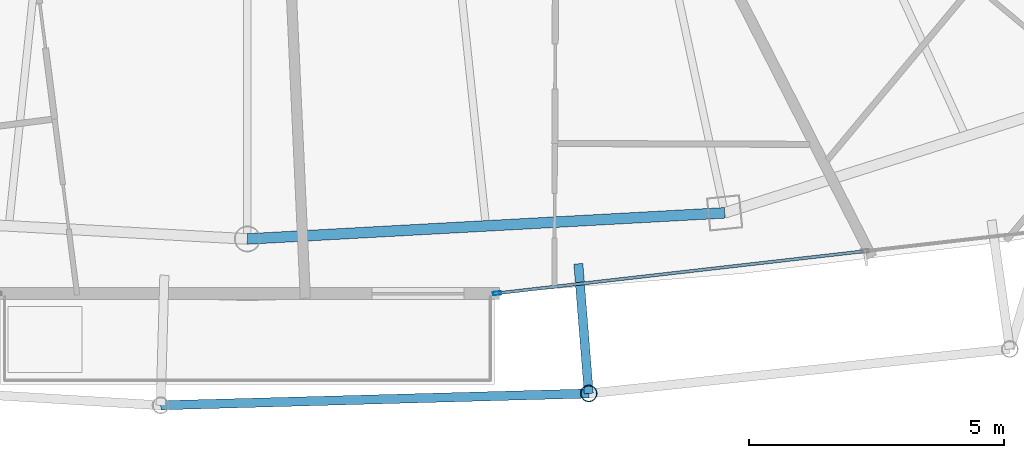
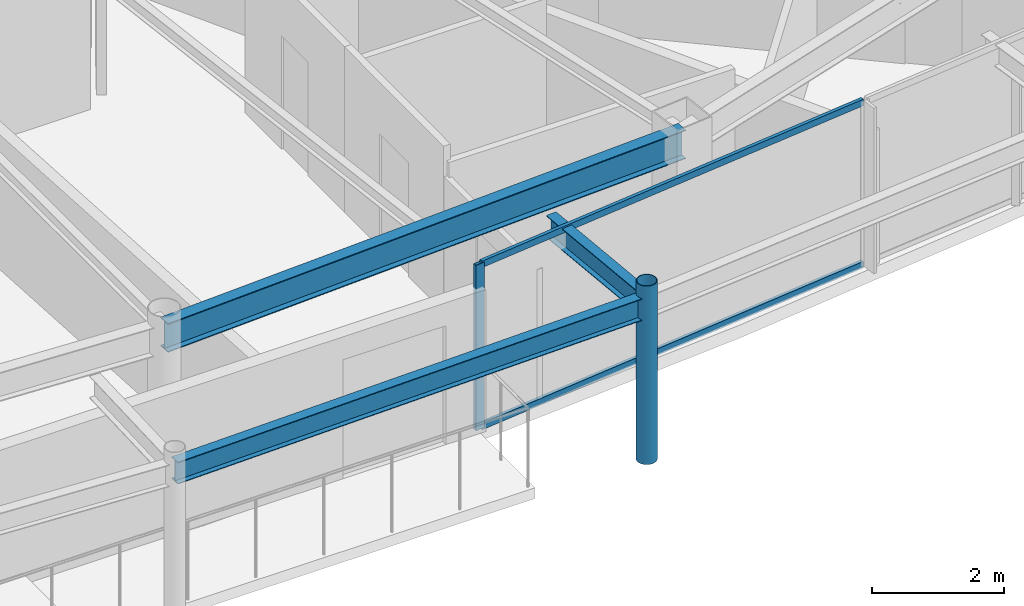
# One storey, part 8 of 30: 4 members, 3 beams, 1 element without a shape of its own.
"""IFC4 building model written with IfcOpenShell, lengths in metres."""

from ifc_helpers import new_model, si_unit, direction, frame, origin, origin_2d, place, context, subcontext, project, spatial, hollow_rectangle, hollow_circle, i_section, extrude, material, layer, layer_set, material_profile, profile_set, type_object, element, aggregate, save


model = new_model("IFC4")

# Units and contexts
model_context = context("Model", 3, precision=1e-05, world=origin(), true_north=direction((0.0, 1.0)))
body_context = subcontext(model_context, "Body", "Model", "MODEL_VIEW")
ifc_project = project(units=[si_unit("LENGTHUNIT", "METRE"), si_unit("AREAUNIT", "SQUARE_METRE"), si_unit("VOLUMEUNIT", "CUBIC_METRE"), si_unit("PLANEANGLEUNIT", "RADIAN"), si_unit("MASSUNIT", "GRAM", prefix="KILO")], contexts=[model_context])

# Site, building, storey
site_placement = place(None, origin())
site = spatial("IfcSite", under=ifc_project, at=site_placement, CompositionType="ELEMENT")
building_placement = place(site_placement, origin())
building = spatial("IfcBuilding", under=site, at=building_placement, Name="Orvanel Arch Residences", CompositionType="ELEMENT")
storey_placement = place(building_placement, frame((0.0, 0.0, 270.050048828125)))
storey = spatial("IfcBuildingStorey", under=building, at=storey_placement, Name="L77", CompositionType="ELEMENT", Elevation=270.050048828125)

# Curtain wall, member
ifc_material_1 = material(Name="Bronze-anodised aluminium AA6063-T6", Category="aluminium")
ifc_layer = layer(ifc_material_1, 0.175048828125)
ifc_layer_set = layer_set([ifc_layer], Name="Bronze-anodised aluminium AA6063-T6")
curtain_wall_type = type_object("IfcCurtainWallType", Name="CW4-HI-SYS", PredefinedType="NOTDEFINED", material=ifc_layer_set)
curtain_wall_placement = place(storey_placement, origin())
curtain_wall = element("IfcCurtainWall", 1, at=curtain_wall_placement, inside=storey, type_object=curtain_wall_type, Name="L77 CW4-HI-SYS Unitised Curtain Wall", PredefinedType="NOTDEFINED")
ifc_material_profile_1 = material_profile(ifc_material_1, hollow_rectangle(XDim=0.06494140625, YDim=0.159912109375, WallThickness=0.00390625, at=origin_2d()), Name="ALU160x65x4")
ifc_profile_set_1 = profile_set([ifc_material_profile_1], Name="Bronze-anodised aluminium AA6063-T6")
member_type_1 = type_object("IfcMemberType", Name="MUL-160x65", PredefinedType="MULLION", material=ifc_profile_set_1)
member_1_placement = place(storey_placement, frame((37.892333984375, 5.77978515625, 0.0), z_axis=(0.0, 0.0, 1.0), x_axis=(-0.113751693375, 0.993509210956, 0.0)))
member_1 = element("IfcMember", 2, at=member_1_placement, type_object=member_type_1, Name="CW-S4 mullion 1", PredefinedType="MULLION", context=body_context, shape_type="SweptSolid", body=[
    extrude(hollow_rectangle(XDim=0.06494140625, YDim=0.159912109375, WallThickness=0.00390625, at=origin_2d()), origin(), (0.0, 0.0, 1.0), 3.06005859375),
])

# Beams
ifc_material_2 = material(Name="Structural steel AS/NZS 3679.1 Grade 300 (300 MPa)", Category="steel")
ifc_material_profile_2 = material_profile(ifc_material_2, i_section(OverallWidth=0.177978515625, OverallDepth=0.406005859375, WebThickness=0.0078125, FlangeThickness=0.0126953125, at=origin_2d()), Name="410UB59.7")
ifc_profile_set_2 = profile_set([ifc_material_profile_2], Name="Structural steel AS/NZS 3679.1 Grade 300 (300 MPa)")
beam_type_1 = type_object("IfcBeamType", Name="OB-410UB-EXT", PredefinedType="SPANDREL", material=ifc_profile_set_2)
beam_1_placement = place(storey_placement, frame((31.301025390625, 3.583984375, 2.85693359375), z_axis=(0.999618023421, 0.027637063015, 0.0), x_axis=(-0.027637063015, 0.999618023421, 0.0)))
element("IfcBeam", 3, at=beam_1_placement, inside=storey, type_object=beam_type_1, Name="L77 Outer Perimeter Floor Ring Beam 06", PredefinedType="SPANDREL", context=body_context, shape_type="SweptSolid", body=[
    extrude(i_section(OverallWidth=0.177978515625, OverallDepth=0.406005859375, WebThickness=0.0078125, FlangeThickness=0.0126953125, at=origin_2d()), origin(), (0.0, 0.0, 1.0), 8.39208984375),
])
beam_2_placement = place(storey_placement, frame((39.485107421875, 6.35791015625, 2.85693359375), z_axis=(0.080319757594, -0.996769149071, 0.0), x_axis=(0.996769149071, 0.080319757594, 0.0)))
element("IfcBeam", 4, at=beam_2_placement, inside=storey, type_object=beam_type_1, Name="L77 Outer Frame Radial Tie Beam 07", PredefinedType="SPANDREL", context=body_context, shape_type="SweptSolid", body=[
    extrude(i_section(OverallWidth=0.177978515625, OverallDepth=0.406005859375, WebThickness=0.0078125, FlangeThickness=0.0126953125, at=origin_2d()), origin(), (0.0, 0.0, 1.0), 2.55029296875),
])
ifc_material_profile_3 = material_profile(ifc_material_2, i_section(OverallWidth=0.208984375, OverallDepth=0.532958984375, WebThickness=0.01025390625, FlangeThickness=0.015625, at=origin_2d()), Name="530UB92.4")
ifc_profile_set_3 = profile_set([ifc_material_profile_3], Name="Structural steel AS/NZS 3679.1 Grade 300 (300 MPa)")
beam_type_2 = type_object("IfcBeamType", Name="SP-530UB", PredefinedType="SPANDREL", material=ifc_profile_set_3)
beam_3_placement = place(storey_placement, frame((33.0, 6.843994140625, 2.7939453125), z_axis=(0.998510315598, 0.054563262768, 0.0), x_axis=(-0.054563262768, 0.998510315598, 0.0)))
element("IfcBeam", 5, at=beam_3_placement, inside=storey, type_object=beam_type_2, Name="L77 Perimeter Spandrel Beam 04", PredefinedType="SPANDREL", context=body_context, shape_type="SweptSolid", body=[
    extrude(i_section(OverallWidth=0.208984375, OverallDepth=0.532958984375, WebThickness=0.01025390625, FlangeThickness=0.015625, at=origin_2d()), origin(), (0.0, 0.0, 1.0), 9.364990234375),
])

# Member
ifc_material_3 = material(Name="Structural steel AS/NZS 1163 C350L0 (Grade 350)", Category="steel")
ifc_material_profile_4 = material_profile(ifc_material_3, hollow_circle(Radius=0.162109375, WallThickness=0.0126953125, at=origin_2d()), Name="CHS324x12.7")
ifc_profile_set_4 = profile_set([ifc_material_profile_4], Name="Structural steel AS/NZS 1163 C350L0 (Grade 350)")
member_type_2 = type_object("IfcMemberType", Name="ST-324CHS-EXT", PredefinedType="STRUT", material=ifc_profile_set_4)
member_2_placement = place(storey_placement, frame((39.68994140625, 3.81591796875, 0.0), z_axis=(0.0, 0.0, 1.0), x_axis=(1.0, 0.0, 0.0)))
element("IfcMember", 6, at=member_2_placement, inside=storey, type_object=member_type_2, Name="L77 Outer Perimeter Frame Post 07", PredefinedType="STRUT", context=body_context, shape_type="SweptSolid", body=[
    extrude(hollow_circle(Radius=0.162109375, WallThickness=0.0126953125, at=origin_2d()), origin(), (0.0, 0.0, 1.0), 3.300048828125),
])

ifc_material_profile_5 = material_profile(ifc_material_1, hollow_rectangle(XDim=0.06005859375, YDim=0.1201171875, WallThickness=0.00341796875, at=origin_2d()), Name="ALU120x60x3.5")
ifc_profile_set_5 = profile_set([ifc_material_profile_5], Name="Bronze-anodised aluminium AA6063-T6")
member_type_3 = type_object("IfcMemberType", Name="TRN-120x60", PredefinedType="USERDEFINED", material=ifc_profile_set_5)
member_3_placement = place(storey_placement, frame((37.924560546875, 5.783447265625, 0.030029296875), z_axis=(0.99350966938, 0.11374768942, 0.0), x_axis=(-0.11374768942, 0.99350966938, 0.0)))
member_3 = element("IfcMember", 7, at=member_3_placement, type_object=member_type_3, Name="CW-S4 transom 1.1", ObjectType="TRANSOM", PredefinedType="USERDEFINED", context=body_context, shape_type="SweptSolid", body=[
    extrude(hollow_rectangle(XDim=0.06005859375, YDim=0.1201171875, WallThickness=0.00341796875, at=origin_2d()), origin(), (0.0, 0.0, 1.0), 7.190185546875),
])

member_4_placement = place(storey_placement, frame((37.924560546875, 5.783447265625, 3.030029296875), z_axis=(0.99350966938, 0.11374768942, 0.0), x_axis=(-0.11374768942, 0.99350966938, 0.0)))
member_4 = element("IfcMember", 8, at=member_4_placement, type_object=member_type_3, Name="CW-S4 transom 1.2", ObjectType="TRANSOM", PredefinedType="USERDEFINED", context=body_context, shape_type="SweptSolid", body=[
    extrude(hollow_rectangle(XDim=0.06005859375, YDim=0.1201171875, WallThickness=0.00341796875, at=origin_2d()), origin(), (0.0, 0.0, 1.0), 7.190185546875),
])

aggregate(curtain_wall, [member_1, member_3, member_4])

save(model, "model.ifc")
